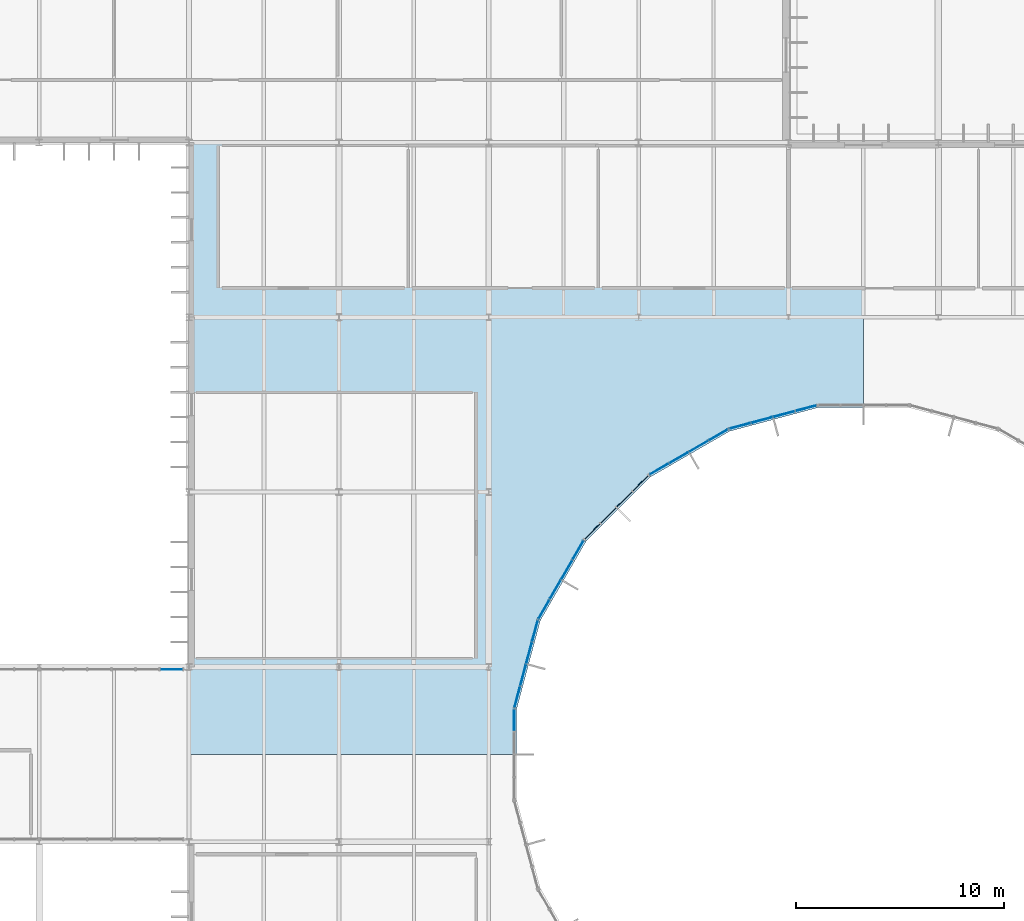
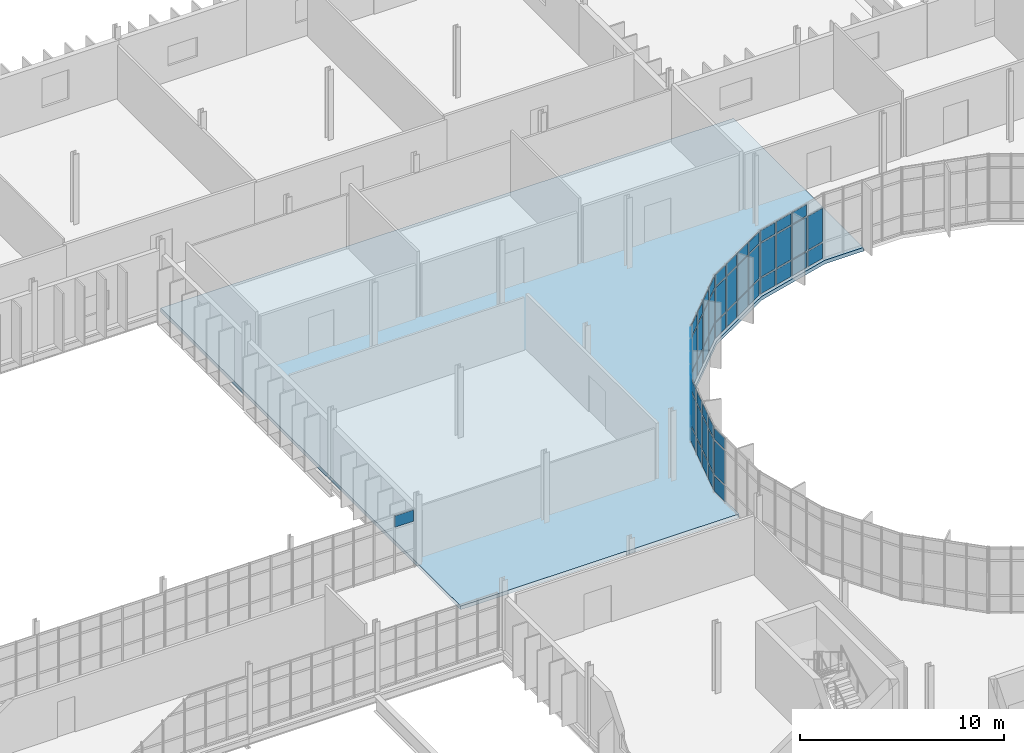
# One storey, part 64 of 99: 63 plates, 1 slab, 7 elements without a shape of their own.
"""IFC4 building model written with IfcOpenShell, lengths in metres."""

from ifc_helpers import new_model, si_unit, direction, frame, origin, origin_2d, place, context, subcontext, project, spatial, polyline, rectangle, outline, extrude, material, layer, layer_set, type_object, element, aggregate, save


model = new_model("IFC4")

# Units and contexts
model_context = context("Model", 3, precision=1e-05, world=origin(), true_north=direction((0.0, 1.0)))
body_context = subcontext(model_context, "Body", "Model", "MODEL_VIEW")
ifc_project = project(units=[si_unit("LENGTHUNIT", "METRE"), si_unit("AREAUNIT", "SQUARE_METRE"), si_unit("VOLUMEUNIT", "CUBIC_METRE"), si_unit("PLANEANGLEUNIT", "RADIAN"), si_unit("MASSUNIT", "GRAM", prefix="KILO")], contexts=[model_context])

# Site, building, storey
site_placement = place(None, origin())
site = spatial("IfcSite", under=ifc_project, at=site_placement, CompositionType="ELEMENT")
building_placement = place(site_placement, origin())
building = spatial("IfcBuilding", under=site, at=building_placement, Name="Qelthora Terrace Specialist Clinic", CompositionType="ELEMENT")
storey_placement = place(building_placement, frame((0.0, 0.0, 9.0)))
storey = spatial("IfcBuildingStorey", under=building, at=storey_placement, Name="L02", CompositionType="ELEMENT", Elevation=9.0)

# Curtain wall, plates
ifc_material_1 = material(Name="Aluminium anodized bronze", Category="aluminium")
curtain_wall_type_1 = type_object("IfcCurtainWallType", Name="CW-CRTE-UPP", PredefinedType="NOTDEFINED", material=ifc_material_1)
curtain_wall_1_placement = place(storey_placement, origin())
curtain_wall_1 = element("IfcCurtainWall", 1, at=curtain_wall_1_placement, inside=storey, type_object=curtain_wall_type_1, Name="Curtain wall CW-CE-L02-07", PredefinedType="NOTDEFINED")
ifc_material_2 = material(Name="Low-E triple-silver insulating glass", Category="glass")
ifc_layer_1 = layer(ifc_material_2, 0.035888671875)
ifc_layer_set_1 = layer_set([ifc_layer_1], Name="Low-E triple-silver insulating glass")
plate_type = type_object("IfcPlateType", Name="CWP-IGU-36", PredefinedType="CURTAIN_PANEL", material=ifc_layer_set_1)
plate_1_placement = place(storey_placement, frame((123.24658203125, 79.63037109375, 0.0849609375), z_axis=(0.0, 0.0, 1.0), x_axis=(-0.965925826289, -0.258819045103, 0.0)))
plate_1 = element("IfcPlate", 2, at=plate_1_placement, type_object=plate_type, Name="CW-CE-L02-07 glazed panel 1", PredefinedType="CURTAIN_PANEL", context=body_context, shape_type="SweptSolid", body=[
    extrude(rectangle(XDim=0.996337890625, YDim=0.035888671875, at=origin_2d()), origin(), (0.0, 0.0, 1.0), 0.919921875),
])
plate_2_placement = place(storey_placement, frame((123.24658203125, 79.63037109375, 1.094970703125), z_axis=(0.0, 0.0, 1.0), x_axis=(-0.965925826289, -0.258819045103, 0.0)))
plate_2 = element("IfcPlate", 3, at=plate_2_placement, type_object=plate_type, Name="CW-CE-L02-07 glazed panel 2", PredefinedType="CURTAIN_PANEL", context=body_context, shape_type="SweptSolid", body=[
    extrude(rectangle(XDim=0.996337890625, YDim=0.035888671875, at=origin_2d()), origin(), (0.0, 0.0, 1.0), 2.0048828125),
])
plate_3_placement = place(storey_placement, frame((122.1875, 79.346435546875, 0.0849609375), z_axis=(0.0, 0.0, 1.0), x_axis=(-0.965925826289, -0.258819045103, 0.0)))
plate_3 = element("IfcPlate", 4, at=plate_3_placement, type_object=plate_type, Name="CW-CE-L02-07 glazed panel 4", PredefinedType="CURTAIN_PANEL", context=body_context, shape_type="SweptSolid", body=[
    extrude(rectangle(XDim=0.996337890625, YDim=0.035888671875, at=origin_2d()), origin(), (0.0, 0.0, 1.0), 0.919921875),
])
plate_4_placement = place(storey_placement, frame((122.1875, 79.346435546875, 1.094970703125), z_axis=(0.0, 0.0, 1.0), x_axis=(-0.965925826289, -0.258819045103, 0.0)))
plate_4 = element("IfcPlate", 5, at=plate_4_placement, type_object=plate_type, Name="CW-CE-L02-07 glazed panel 5", PredefinedType="CURTAIN_PANEL", context=body_context, shape_type="SweptSolid", body=[
    extrude(rectangle(XDim=0.996337890625, YDim=0.035888671875, at=origin_2d()), origin(), (0.0, 0.0, 1.0), 2.0048828125),
])
plate_5_placement = place(storey_placement, frame((122.1875, 79.346435546875, 3.18994140625), z_axis=(0.0, 0.0, 1.0), x_axis=(-0.965925826289, -0.258819045103, 0.0)))
plate_5 = element("IfcPlate", 6, at=plate_5_placement, type_object=plate_type, Name="CW-CE-L02-07 glazed panel 6", PredefinedType="CURTAIN_PANEL", context=body_context, shape_type="SweptSolid", body=[
    extrude(rectangle(XDim=0.996337890625, YDim=0.035888671875, at=origin_2d()), origin(), (0.0, 0.0, 1.0), 0.669921875),
])
plate_6_placement = place(storey_placement, frame((121.12841796875, 79.062744140625, 0.0849609375), z_axis=(0.0, 0.0, 1.0), x_axis=(-0.965925826289, -0.258819045103, 0.0)))
plate_6 = element("IfcPlate", 7, at=plate_6_placement, type_object=plate_type, Name="CW-CE-L02-07 glazed panel 7", PredefinedType="CURTAIN_PANEL", context=body_context, shape_type="SweptSolid", body=[
    extrude(rectangle(XDim=0.996337890625, YDim=0.035888671875, at=origin_2d()), origin(), (0.0, 0.0, 1.0), 0.919921875),
])
plate_7_placement = place(storey_placement, frame((121.12841796875, 79.062744140625, 1.094970703125), z_axis=(0.0, 0.0, 1.0), x_axis=(-0.965925826289, -0.258819045103, 0.0)))
plate_7 = element("IfcPlate", 8, at=plate_7_placement, type_object=plate_type, Name="CW-CE-L02-07 glazed panel 8", PredefinedType="CURTAIN_PANEL", context=body_context, shape_type="SweptSolid", body=[
    extrude(rectangle(XDim=0.996337890625, YDim=0.035888671875, at=origin_2d()), origin(), (0.0, 0.0, 1.0), 2.0048828125),
])
plate_8_placement = place(storey_placement, frame((121.12841796875, 79.062744140625, 3.18994140625), z_axis=(0.0, 0.0, 1.0), x_axis=(-0.965925826289, -0.258819045103, 0.0)))
plate_8 = element("IfcPlate", 9, at=plate_8_placement, type_object=plate_type, Name="CW-CE-L02-07 glazed panel 9", PredefinedType="CURTAIN_PANEL", context=body_context, shape_type="SweptSolid", body=[
    extrude(rectangle(XDim=0.996337890625, YDim=0.035888671875, at=origin_2d()), origin(), (0.0, 0.0, 1.0), 0.669921875),
])
plate_9_placement = place(storey_placement, frame((120.0693359375, 78.779052734375, 0.0849609375), z_axis=(0.0, 0.0, 1.0), x_axis=(-0.965925826289, -0.258819045103, 0.0)))
plate_9 = element("IfcPlate", 10, at=plate_9_placement, type_object=plate_type, Name="CW-CE-L02-07 glazed panel 10", PredefinedType="CURTAIN_PANEL", context=body_context, shape_type="SweptSolid", body=[
    extrude(rectangle(XDim=0.996337890625, YDim=0.035888671875, at=origin_2d()), origin(), (0.0, 0.0, 1.0), 0.919921875),
])
plate_10_placement = place(storey_placement, frame((120.0693359375, 78.779052734375, 1.094970703125), z_axis=(0.0, 0.0, 1.0), x_axis=(-0.965925826289, -0.258819045103, 0.0)))
plate_10 = element("IfcPlate", 11, at=plate_10_placement, type_object=plate_type, Name="CW-CE-L02-07 glazed panel 11", PredefinedType="CURTAIN_PANEL", context=body_context, shape_type="SweptSolid", body=[
    extrude(rectangle(XDim=0.996337890625, YDim=0.035888671875, at=origin_2d()), origin(), (0.0, 0.0, 1.0), 2.0048828125),
])
plate_11_placement = place(storey_placement, frame((120.0693359375, 78.779052734375, 3.18994140625), z_axis=(0.0, 0.0, 1.0), x_axis=(-0.965925826289, -0.258819045103, 0.0)))
plate_11 = element("IfcPlate", 12, at=plate_11_placement, type_object=plate_type, Name="CW-CE-L02-07 glazed panel 12", PredefinedType="CURTAIN_PANEL", context=body_context, shape_type="SweptSolid", body=[
    extrude(rectangle(XDim=0.996337890625, YDim=0.035888671875, at=origin_2d()), origin(), (0.0, 0.0, 1.0), 0.669921875),
])
aggregate(curtain_wall_1, [plate_1, plate_2, plate_3, plate_4, plate_5, plate_6, plate_7, plate_8, plate_9, plate_10, plate_11])

curtain_wall_2_placement = place(storey_placement, origin())
curtain_wall_2 = element("IfcCurtainWall", 13, at=curtain_wall_2_placement, inside=storey, type_object=curtain_wall_type_1, Name="Curtain wall CW-CE-L02-08", PredefinedType="NOTDEFINED")
plate_12_placement = place(storey_placement, frame((119.0361328125, 78.35107421875, 0.0849609375), z_axis=(0.0, 0.0, 1.0), x_axis=(-0.866025403784, -0.5, 0.0)))
plate_12 = element("IfcPlate", 14, at=plate_12_placement, type_object=plate_type, Name="CW-CE-L02-08 glazed panel 1", PredefinedType="CURTAIN_PANEL", context=body_context, shape_type="SweptSolid", body=[
    extrude(rectangle(XDim=0.996337890625, YDim=0.035888671875, at=origin_2d()), origin(), (0.0, 0.0, 1.0), 0.919921875),
])
plate_13_placement = place(storey_placement, frame((119.0361328125, 78.35107421875, 1.094970703125), z_axis=(0.0, 0.0, 1.0), x_axis=(-0.866025403784, -0.5, 0.0)))
plate_13 = element("IfcPlate", 15, at=plate_13_placement, type_object=plate_type, Name="CW-CE-L02-08 glazed panel 2", PredefinedType="CURTAIN_PANEL", context=body_context, shape_type="SweptSolid", body=[
    extrude(rectangle(XDim=0.996337890625, YDim=0.035888671875, at=origin_2d()), origin(), (0.0, 0.0, 1.0), 2.0048828125),
])
plate_14_placement = place(storey_placement, frame((119.0361328125, 78.35107421875, 3.18994140625), z_axis=(0.0, 0.0, 1.0), x_axis=(-0.866025403784, -0.5, 0.0)))
plate_14 = element("IfcPlate", 16, at=plate_14_placement, type_object=plate_type, Name="CW-CE-L02-08 glazed panel 3", PredefinedType="CURTAIN_PANEL", context=body_context, shape_type="SweptSolid", body=[
    extrude(rectangle(XDim=0.996337890625, YDim=0.035888671875, at=origin_2d()), origin(), (0.0, 0.0, 1.0), 0.669921875),
])
plate_15_placement = place(storey_placement, frame((118.086669921875, 77.802734375, 0.0849609375), z_axis=(0.0, 0.0, 1.0), x_axis=(-0.866025403784, -0.5, 0.0)))
plate_15 = element("IfcPlate", 17, at=plate_15_placement, type_object=plate_type, Name="CW-CE-L02-08 glazed panel 4", PredefinedType="CURTAIN_PANEL", context=body_context, shape_type="SweptSolid", body=[
    extrude(rectangle(XDim=0.996337890625, YDim=0.035888671875, at=origin_2d()), origin(), (0.0, 0.0, 1.0), 0.919921875),
])
plate_16_placement = place(storey_placement, frame((118.086669921875, 77.802734375, 1.094970703125), z_axis=(0.0, 0.0, 1.0), x_axis=(-0.866025403784, -0.5, 0.0)))
plate_16 = element("IfcPlate", 18, at=plate_16_placement, type_object=plate_type, Name="CW-CE-L02-08 glazed panel 5", PredefinedType="CURTAIN_PANEL", context=body_context, shape_type="SweptSolid", body=[
    extrude(rectangle(XDim=0.996337890625, YDim=0.035888671875, at=origin_2d()), origin(), (0.0, 0.0, 1.0), 2.0048828125),
])
plate_17_placement = place(storey_placement, frame((118.086669921875, 77.802734375, 3.18994140625), z_axis=(0.0, 0.0, 1.0), x_axis=(-0.866025403784, -0.5, 0.0)))
plate_17 = element("IfcPlate", 19, at=plate_17_placement, type_object=plate_type, Name="CW-CE-L02-08 glazed panel 6", PredefinedType="CURTAIN_PANEL", context=body_context, shape_type="SweptSolid", body=[
    extrude(rectangle(XDim=0.996337890625, YDim=0.035888671875, at=origin_2d()), origin(), (0.0, 0.0, 1.0), 0.669921875),
])
plate_18_placement = place(storey_placement, frame((117.13720703125, 77.254638671875, 0.0849609375), z_axis=(0.0, 0.0, 1.0), x_axis=(-0.866025403784, -0.5, 0.0)))
plate_18 = element("IfcPlate", 20, at=plate_18_placement, type_object=plate_type, Name="CW-CE-L02-08 glazed panel 7", PredefinedType="CURTAIN_PANEL", context=body_context, shape_type="SweptSolid", body=[
    extrude(rectangle(XDim=0.996337890625, YDim=0.035888671875, at=origin_2d()), origin(), (0.0, 0.0, 1.0), 0.919921875),
])
plate_19_placement = place(storey_placement, frame((117.13720703125, 77.254638671875, 1.094970703125), z_axis=(0.0, 0.0, 1.0), x_axis=(-0.866025403784, -0.5, 0.0)))
plate_19 = element("IfcPlate", 21, at=plate_19_placement, type_object=plate_type, Name="CW-CE-L02-08 glazed panel 8", PredefinedType="CURTAIN_PANEL", context=body_context, shape_type="SweptSolid", body=[
    extrude(rectangle(XDim=0.996337890625, YDim=0.035888671875, at=origin_2d()), origin(), (0.0, 0.0, 1.0), 2.0048828125),
])
plate_20_placement = place(storey_placement, frame((117.13720703125, 77.254638671875, 3.18994140625), z_axis=(0.0, 0.0, 1.0), x_axis=(-0.866025403784, -0.5, 0.0)))
plate_20 = element("IfcPlate", 22, at=plate_20_placement, type_object=plate_type, Name="CW-CE-L02-08 glazed panel 9", PredefinedType="CURTAIN_PANEL", context=body_context, shape_type="SweptSolid", body=[
    extrude(rectangle(XDim=0.996337890625, YDim=0.035888671875, at=origin_2d()), origin(), (0.0, 0.0, 1.0), 0.669921875),
])
plate_21_placement = place(storey_placement, frame((116.1875, 76.706298828125, 0.0849609375), z_axis=(0.0, 0.0, 1.0), x_axis=(-0.866025403784, -0.5, 0.0)))
plate_21 = element("IfcPlate", 23, at=plate_21_placement, type_object=plate_type, Name="CW-CE-L02-08 glazed panel 10", PredefinedType="CURTAIN_PANEL", context=body_context, shape_type="SweptSolid", body=[
    extrude(rectangle(XDim=0.996337890625, YDim=0.035888671875, at=origin_2d()), origin(), (0.0, 0.0, 1.0), 0.919921875),
])
plate_22_placement = place(storey_placement, frame((116.1875, 76.706298828125, 1.094970703125), z_axis=(0.0, 0.0, 1.0), x_axis=(-0.866025403784, -0.5, 0.0)))
plate_22 = element("IfcPlate", 24, at=plate_22_placement, type_object=plate_type, Name="CW-CE-L02-08 glazed panel 11", PredefinedType="CURTAIN_PANEL", context=body_context, shape_type="SweptSolid", body=[
    extrude(rectangle(XDim=0.996337890625, YDim=0.035888671875, at=origin_2d()), origin(), (0.0, 0.0, 1.0), 2.0048828125),
])
plate_23_placement = place(storey_placement, frame((116.1875, 76.706298828125, 3.18994140625), z_axis=(0.0, 0.0, 1.0), x_axis=(-0.866025403784, -0.5, 0.0)))
plate_23 = element("IfcPlate", 25, at=plate_23_placement, type_object=plate_type, Name="CW-CE-L02-08 glazed panel 12", PredefinedType="CURTAIN_PANEL", context=body_context, shape_type="SweptSolid", body=[
    extrude(rectangle(XDim=0.996337890625, YDim=0.035888671875, at=origin_2d()), origin(), (0.0, 0.0, 1.0), 0.669921875),
])
aggregate(curtain_wall_2, [plate_12, plate_13, plate_14, plate_15, plate_16, plate_17, plate_18, plate_19, plate_20, plate_21, plate_22, plate_23])

curtain_wall_3_placement = place(storey_placement, origin())
curtain_wall_3 = element("IfcCurtainWall", 26, at=curtain_wall_3_placement, inside=storey, type_object=curtain_wall_type_1, Name="Curtain wall CW-CE-L02-09", PredefinedType="NOTDEFINED")
plate_24_placement = place(storey_placement, frame((115.30029296875, 76.025634765625, 0.0849609375), z_axis=(0.0, 0.0, 1.0), x_axis=(-0.707106781187, -0.707106781187, 0.0)))
plate_24 = element("IfcPlate", 27, at=plate_24_placement, type_object=plate_type, Name="CW-CE-L02-09 glazed panel 1", PredefinedType="CURTAIN_PANEL", context=body_context, shape_type="SweptSolid", body=[
    extrude(rectangle(XDim=0.996337890625, YDim=0.035888671875, at=origin_2d()), origin(), (0.0, 0.0, 1.0), 0.919921875),
])
plate_25_placement = place(storey_placement, frame((115.30029296875, 76.025634765625, 1.094970703125), z_axis=(0.0, 0.0, 1.0), x_axis=(-0.707106781187, -0.707106781187, 0.0)))
plate_25 = element("IfcPlate", 28, at=plate_25_placement, type_object=plate_type, Name="CW-CE-L02-09 glazed panel 2", PredefinedType="CURTAIN_PANEL", context=body_context, shape_type="SweptSolid", body=[
    extrude(rectangle(XDim=0.996337890625, YDim=0.035888671875, at=origin_2d()), origin(), (0.0, 0.0, 1.0), 2.0048828125),
])
plate_26_placement = place(storey_placement, frame((115.30029296875, 76.025634765625, 3.18994140625), z_axis=(0.0, 0.0, 1.0), x_axis=(-0.707106781187, -0.707106781187, 0.0)))
plate_26 = element("IfcPlate", 29, at=plate_26_placement, type_object=plate_type, Name="CW-CE-L02-09 glazed panel 3", PredefinedType="CURTAIN_PANEL", context=body_context, shape_type="SweptSolid", body=[
    extrude(rectangle(XDim=0.996337890625, YDim=0.035888671875, at=origin_2d()), origin(), (0.0, 0.0, 1.0), 0.669921875),
])
plate_27_placement = place(storey_placement, frame((114.525146484375, 75.250244140625, 0.0849609375), z_axis=(0.0, 0.0, 1.0), x_axis=(-0.707106781187, -0.707106781187, 0.0)))
plate_27 = element("IfcPlate", 30, at=plate_27_placement, type_object=plate_type, Name="CW-CE-L02-09 glazed panel 4", PredefinedType="CURTAIN_PANEL", context=body_context, shape_type="SweptSolid", body=[
    extrude(rectangle(XDim=0.996337890625, YDim=0.035888671875, at=origin_2d()), origin(), (0.0, 0.0, 1.0), 0.919921875),
])
plate_28_placement = place(storey_placement, frame((114.525146484375, 75.250244140625, 1.094970703125), z_axis=(0.0, 0.0, 1.0), x_axis=(-0.707106781187, -0.707106781187, 0.0)))
plate_28 = element("IfcPlate", 31, at=plate_28_placement, type_object=plate_type, Name="CW-CE-L02-09 glazed panel 5", PredefinedType="CURTAIN_PANEL", context=body_context, shape_type="SweptSolid", body=[
    extrude(rectangle(XDim=0.996337890625, YDim=0.035888671875, at=origin_2d()), origin(), (0.0, 0.0, 1.0), 2.0048828125),
])
plate_29_placement = place(storey_placement, frame((114.525146484375, 75.250244140625, 3.18994140625), z_axis=(0.0, 0.0, 1.0), x_axis=(-0.707106781187, -0.707106781187, 0.0)))
plate_29 = element("IfcPlate", 32, at=plate_29_placement, type_object=plate_type, Name="CW-CE-L02-09 glazed panel 6", PredefinedType="CURTAIN_PANEL", context=body_context, shape_type="SweptSolid", body=[
    extrude(rectangle(XDim=0.996337890625, YDim=0.035888671875, at=origin_2d()), origin(), (0.0, 0.0, 1.0), 0.669921875),
])
plate_30_placement = place(storey_placement, frame((113.749755859375, 74.474853515625, 0.0849609375), z_axis=(0.0, 0.0, 1.0), x_axis=(-0.707106781187, -0.707106781187, 0.0)))
plate_30 = element("IfcPlate", 33, at=plate_30_placement, type_object=plate_type, Name="CW-CE-L02-09 glazed panel 7", PredefinedType="CURTAIN_PANEL", context=body_context, shape_type="SweptSolid", body=[
    extrude(rectangle(XDim=0.996337890625, YDim=0.035888671875, at=origin_2d()), origin(), (0.0, 0.0, 1.0), 0.919921875),
])
plate_31_placement = place(storey_placement, frame((113.749755859375, 74.474853515625, 1.094970703125), z_axis=(0.0, 0.0, 1.0), x_axis=(-0.707106781187, -0.707106781187, 0.0)))
plate_31 = element("IfcPlate", 34, at=plate_31_placement, type_object=plate_type, Name="CW-CE-L02-09 glazed panel 8", PredefinedType="CURTAIN_PANEL", context=body_context, shape_type="SweptSolid", body=[
    extrude(rectangle(XDim=0.996337890625, YDim=0.035888671875, at=origin_2d()), origin(), (0.0, 0.0, 1.0), 2.0048828125),
])
plate_32_placement = place(storey_placement, frame((113.749755859375, 74.474853515625, 3.18994140625), z_axis=(0.0, 0.0, 1.0), x_axis=(-0.707106781187, -0.707106781187, 0.0)))
plate_32 = element("IfcPlate", 35, at=plate_32_placement, type_object=plate_type, Name="CW-CE-L02-09 glazed panel 9", PredefinedType="CURTAIN_PANEL", context=body_context, shape_type="SweptSolid", body=[
    extrude(rectangle(XDim=0.996337890625, YDim=0.035888671875, at=origin_2d()), origin(), (0.0, 0.0, 1.0), 0.669921875),
])
plate_33_placement = place(storey_placement, frame((112.974365234375, 73.69970703125, 0.0849609375), z_axis=(0.0, 0.0, 1.0), x_axis=(-0.707106781187, -0.707106781187, 0.0)))
plate_33 = element("IfcPlate", 36, at=plate_33_placement, type_object=plate_type, Name="CW-CE-L02-09 glazed panel 10", PredefinedType="CURTAIN_PANEL", context=body_context, shape_type="SweptSolid", body=[
    extrude(rectangle(XDim=0.996337890625, YDim=0.035888671875, at=origin_2d()), origin(), (0.0, 0.0, 1.0), 0.919921875),
])
plate_34_placement = place(storey_placement, frame((112.974365234375, 73.69970703125, 1.094970703125), z_axis=(0.0, 0.0, 1.0), x_axis=(-0.707106781187, -0.707106781187, 0.0)))
plate_34 = element("IfcPlate", 37, at=plate_34_placement, type_object=plate_type, Name="CW-CE-L02-09 glazed panel 11", PredefinedType="CURTAIN_PANEL", context=body_context, shape_type="SweptSolid", body=[
    extrude(rectangle(XDim=0.996337890625, YDim=0.035888671875, at=origin_2d()), origin(), (0.0, 0.0, 1.0), 2.0048828125),
])
plate_35_placement = place(storey_placement, frame((112.974365234375, 73.69970703125, 3.18994140625), z_axis=(0.0, 0.0, 1.0), x_axis=(-0.707106781187, -0.707106781187, 0.0)))
plate_35 = element("IfcPlate", 38, at=plate_35_placement, type_object=plate_type, Name="CW-CE-L02-09 glazed panel 12", PredefinedType="CURTAIN_PANEL", context=body_context, shape_type="SweptSolid", body=[
    extrude(rectangle(XDim=0.996337890625, YDim=0.035888671875, at=origin_2d()), origin(), (0.0, 0.0, 1.0), 0.669921875),
])
aggregate(curtain_wall_3, [plate_24, plate_25, plate_26, plate_27, plate_28, plate_29, plate_30, plate_31, plate_32, plate_33, plate_34, plate_35])

curtain_wall_4_placement = place(storey_placement, origin())
curtain_wall_4 = element("IfcCurtainWall", 39, at=curtain_wall_4_placement, inside=storey, type_object=curtain_wall_type_1, Name="Curtain wall CW-CE-L02-10", PredefinedType="NOTDEFINED")
plate_36_placement = place(storey_placement, frame((112.293701171875, 72.8125, 0.0849609375), z_axis=(0.0, 0.0, 1.0), x_axis=(-0.5, -0.866025403784, 0.0)))
plate_36 = element("IfcPlate", 40, at=plate_36_placement, type_object=plate_type, Name="CW-CE-L02-10 glazed panel 1", PredefinedType="CURTAIN_PANEL", context=body_context, shape_type="SweptSolid", body=[
    extrude(rectangle(XDim=0.996337890625, YDim=0.035888671875, at=origin_2d()), origin(), (0.0, 0.0, 1.0), 0.919921875),
])
plate_37_placement = place(storey_placement, frame((112.293701171875, 72.8125, 1.094970703125), z_axis=(0.0, 0.0, 1.0), x_axis=(-0.5, -0.866025403784, 0.0)))
plate_37 = element("IfcPlate", 41, at=plate_37_placement, type_object=plate_type, Name="CW-CE-L02-10 glazed panel 2", PredefinedType="CURTAIN_PANEL", context=body_context, shape_type="SweptSolid", body=[
    extrude(rectangle(XDim=0.996337890625, YDim=0.035888671875, at=origin_2d()), origin(), (0.0, 0.0, 1.0), 2.0048828125),
])
plate_38_placement = place(storey_placement, frame((112.293701171875, 72.8125, 3.18994140625), z_axis=(0.0, 0.0, 1.0), x_axis=(-0.5, -0.866025403784, 0.0)))
plate_38 = element("IfcPlate", 42, at=plate_38_placement, type_object=plate_type, Name="CW-CE-L02-10 glazed panel 3", PredefinedType="CURTAIN_PANEL", context=body_context, shape_type="SweptSolid", body=[
    extrude(rectangle(XDim=0.996337890625, YDim=0.035888671875, at=origin_2d()), origin(), (0.0, 0.0, 1.0), 0.669921875),
])
plate_39_placement = place(storey_placement, frame((111.745361328125, 71.86279296875, 0.0849609375), z_axis=(0.0, 0.0, 1.0), x_axis=(-0.5, -0.866025403784, 0.0)))
plate_39 = element("IfcPlate", 43, at=plate_39_placement, type_object=plate_type, Name="CW-CE-L02-10 glazed panel 4", PredefinedType="CURTAIN_PANEL", context=body_context, shape_type="SweptSolid", body=[
    extrude(rectangle(XDim=0.996337890625, YDim=0.035888671875, at=origin_2d()), origin(), (0.0, 0.0, 1.0), 0.919921875),
])
plate_40_placement = place(storey_placement, frame((111.745361328125, 71.86279296875, 1.094970703125), z_axis=(0.0, 0.0, 1.0), x_axis=(-0.5, -0.866025403784, 0.0)))
plate_40 = element("IfcPlate", 44, at=plate_40_placement, type_object=plate_type, Name="CW-CE-L02-10 glazed panel 5", PredefinedType="CURTAIN_PANEL", context=body_context, shape_type="SweptSolid", body=[
    extrude(rectangle(XDim=0.996337890625, YDim=0.035888671875, at=origin_2d()), origin(), (0.0, 0.0, 1.0), 2.0048828125),
])
plate_41_placement = place(storey_placement, frame((111.745361328125, 71.86279296875, 3.18994140625), z_axis=(0.0, 0.0, 1.0), x_axis=(-0.5, -0.866025403784, 0.0)))
plate_41 = element("IfcPlate", 45, at=plate_41_placement, type_object=plate_type, Name="CW-CE-L02-10 glazed panel 6", PredefinedType="CURTAIN_PANEL", context=body_context, shape_type="SweptSolid", body=[
    extrude(rectangle(XDim=0.996337890625, YDim=0.035888671875, at=origin_2d()), origin(), (0.0, 0.0, 1.0), 0.669921875),
])
plate_42_placement = place(storey_placement, frame((111.197265625, 70.913330078125, 0.0849609375), z_axis=(0.0, 0.0, 1.0), x_axis=(-0.5, -0.866025403784, 0.0)))
plate_42 = element("IfcPlate", 46, at=plate_42_placement, type_object=plate_type, Name="CW-CE-L02-10 glazed panel 7", PredefinedType="CURTAIN_PANEL", context=body_context, shape_type="SweptSolid", body=[
    extrude(rectangle(XDim=0.996337890625, YDim=0.035888671875, at=origin_2d()), origin(), (0.0, 0.0, 1.0), 0.919921875),
])
plate_43_placement = place(storey_placement, frame((111.197265625, 70.913330078125, 1.094970703125), z_axis=(0.0, 0.0, 1.0), x_axis=(-0.5, -0.866025403784, 0.0)))
plate_43 = element("IfcPlate", 47, at=plate_43_placement, type_object=plate_type, Name="CW-CE-L02-10 glazed panel 8", PredefinedType="CURTAIN_PANEL", context=body_context, shape_type="SweptSolid", body=[
    extrude(rectangle(XDim=0.996337890625, YDim=0.035888671875, at=origin_2d()), origin(), (0.0, 0.0, 1.0), 2.0048828125),
])
plate_44_placement = place(storey_placement, frame((111.197265625, 70.913330078125, 3.18994140625), z_axis=(0.0, 0.0, 1.0), x_axis=(-0.5, -0.866025403784, 0.0)))
plate_44 = element("IfcPlate", 48, at=plate_44_placement, type_object=plate_type, Name="CW-CE-L02-10 glazed panel 9", PredefinedType="CURTAIN_PANEL", context=body_context, shape_type="SweptSolid", body=[
    extrude(rectangle(XDim=0.996337890625, YDim=0.035888671875, at=origin_2d()), origin(), (0.0, 0.0, 1.0), 0.669921875),
])
plate_45_placement = place(storey_placement, frame((110.64892578125, 69.9638671875, 0.0849609375), z_axis=(0.0, 0.0, 1.0), x_axis=(-0.5, -0.866025403784, 0.0)))
plate_45 = element("IfcPlate", 49, at=plate_45_placement, type_object=plate_type, Name="CW-CE-L02-10 glazed panel 10", PredefinedType="CURTAIN_PANEL", context=body_context, shape_type="SweptSolid", body=[
    extrude(rectangle(XDim=0.996337890625, YDim=0.035888671875, at=origin_2d()), origin(), (0.0, 0.0, 1.0), 0.919921875),
])
plate_46_placement = place(storey_placement, frame((110.64892578125, 69.9638671875, 1.094970703125), z_axis=(0.0, 0.0, 1.0), x_axis=(-0.5, -0.866025403784, 0.0)))
plate_46 = element("IfcPlate", 50, at=plate_46_placement, type_object=plate_type, Name="CW-CE-L02-10 glazed panel 11", PredefinedType="CURTAIN_PANEL", context=body_context, shape_type="SweptSolid", body=[
    extrude(rectangle(XDim=0.996337890625, YDim=0.035888671875, at=origin_2d()), origin(), (0.0, 0.0, 1.0), 2.0048828125),
])
plate_47_placement = place(storey_placement, frame((110.64892578125, 69.9638671875, 3.18994140625), z_axis=(0.0, 0.0, 1.0), x_axis=(-0.5, -0.866025403784, 0.0)))
plate_47 = element("IfcPlate", 51, at=plate_47_placement, type_object=plate_type, Name="CW-CE-L02-10 glazed panel 12", PredefinedType="CURTAIN_PANEL", context=body_context, shape_type="SweptSolid", body=[
    extrude(rectangle(XDim=0.996337890625, YDim=0.035888671875, at=origin_2d()), origin(), (0.0, 0.0, 1.0), 0.669921875),
])
aggregate(curtain_wall_4, [plate_36, plate_37, plate_38, plate_39, plate_40, plate_41, plate_42, plate_43, plate_44, plate_45, plate_46, plate_47])

curtain_wall_5_placement = place(storey_placement, origin())
curtain_wall_5 = element("IfcCurtainWall", 52, at=curtain_wall_5_placement, inside=storey, type_object=curtain_wall_type_1, Name="Curtain wall CW-CE-L02-11", PredefinedType="NOTDEFINED")
plate_48_placement = place(storey_placement, frame((110.220947265625, 68.9306640625, 0.0849609375), z_axis=(0.0, 0.0, 1.0), x_axis=(-0.258819045103, -0.965925826289, 0.0)))
plate_48 = element("IfcPlate", 53, at=plate_48_placement, type_object=plate_type, Name="CW-CE-L02-11 glazed panel 1", PredefinedType="CURTAIN_PANEL", context=body_context, shape_type="SweptSolid", body=[
    extrude(rectangle(XDim=0.996337890625, YDim=0.035888671875, at=origin_2d()), origin(), (0.0, 0.0, 1.0), 0.919921875),
])
plate_49_placement = place(storey_placement, frame((110.220947265625, 68.9306640625, 1.094970703125), z_axis=(0.0, 0.0, 1.0), x_axis=(-0.258819045103, -0.965925826289, 0.0)))
plate_49 = element("IfcPlate", 54, at=plate_49_placement, type_object=plate_type, Name="CW-CE-L02-11 glazed panel 2", PredefinedType="CURTAIN_PANEL", context=body_context, shape_type="SweptSolid", body=[
    extrude(rectangle(XDim=0.996337890625, YDim=0.035888671875, at=origin_2d()), origin(), (0.0, 0.0, 1.0), 2.0048828125),
])
plate_50_placement = place(storey_placement, frame((110.220947265625, 68.9306640625, 3.18994140625), z_axis=(0.0, 0.0, 1.0), x_axis=(-0.258819045103, -0.965925826289, 0.0)))
plate_50 = element("IfcPlate", 55, at=plate_50_placement, type_object=plate_type, Name="CW-CE-L02-11 glazed panel 3", PredefinedType="CURTAIN_PANEL", context=body_context, shape_type="SweptSolid", body=[
    extrude(rectangle(XDim=0.996337890625, YDim=0.035888671875, at=origin_2d()), origin(), (0.0, 0.0, 1.0), 0.669921875),
])
plate_51_placement = place(storey_placement, frame((109.937255859375, 67.87158203125, 0.0849609375), z_axis=(0.0, 0.0, 1.0), x_axis=(-0.258819045103, -0.965925826289, 0.0)))
plate_51 = element("IfcPlate", 56, at=plate_51_placement, type_object=plate_type, Name="CW-CE-L02-11 glazed panel 4", PredefinedType="CURTAIN_PANEL", context=body_context, shape_type="SweptSolid", body=[
    extrude(rectangle(XDim=0.996337890625, YDim=0.035888671875, at=origin_2d()), origin(), (0.0, 0.0, 1.0), 0.919921875),
])
plate_52_placement = place(storey_placement, frame((109.937255859375, 67.87158203125, 1.094970703125), z_axis=(0.0, 0.0, 1.0), x_axis=(-0.258819045103, -0.965925826289, 0.0)))
plate_52 = element("IfcPlate", 57, at=plate_52_placement, type_object=plate_type, Name="CW-CE-L02-11 glazed panel 5", PredefinedType="CURTAIN_PANEL", context=body_context, shape_type="SweptSolid", body=[
    extrude(rectangle(XDim=0.996337890625, YDim=0.035888671875, at=origin_2d()), origin(), (0.0, 0.0, 1.0), 2.0048828125),
])
plate_53_placement = place(storey_placement, frame((109.937255859375, 67.87158203125, 3.18994140625), z_axis=(0.0, 0.0, 1.0), x_axis=(-0.258819045103, -0.965925826289, 0.0)))
plate_53 = element("IfcPlate", 58, at=plate_53_placement, type_object=plate_type, Name="CW-CE-L02-11 glazed panel 6", PredefinedType="CURTAIN_PANEL", context=body_context, shape_type="SweptSolid", body=[
    extrude(rectangle(XDim=0.996337890625, YDim=0.035888671875, at=origin_2d()), origin(), (0.0, 0.0, 1.0), 0.669921875),
])
plate_54_placement = place(storey_placement, frame((109.653564453125, 66.8125, 0.0849609375), z_axis=(0.0, 0.0, 1.0), x_axis=(-0.258819045103, -0.965925826289, 0.0)))
plate_54 = element("IfcPlate", 59, at=plate_54_placement, type_object=plate_type, Name="CW-CE-L02-11 glazed panel 7", PredefinedType="CURTAIN_PANEL", context=body_context, shape_type="SweptSolid", body=[
    extrude(rectangle(XDim=0.996337890625, YDim=0.035888671875, at=origin_2d()), origin(), (0.0, 0.0, 1.0), 0.919921875),
])
plate_55_placement = place(storey_placement, frame((109.653564453125, 66.8125, 1.094970703125), z_axis=(0.0, 0.0, 1.0), x_axis=(-0.258819045103, -0.965925826289, 0.0)))
plate_55 = element("IfcPlate", 60, at=plate_55_placement, type_object=plate_type, Name="CW-CE-L02-11 glazed panel 8", PredefinedType="CURTAIN_PANEL", context=body_context, shape_type="SweptSolid", body=[
    extrude(rectangle(XDim=0.996337890625, YDim=0.035888671875, at=origin_2d()), origin(), (0.0, 0.0, 1.0), 2.0048828125),
])
plate_56_placement = place(storey_placement, frame((109.653564453125, 66.8125, 3.18994140625), z_axis=(0.0, 0.0, 1.0), x_axis=(-0.258819045103, -0.965925826289, 0.0)))
plate_56 = element("IfcPlate", 61, at=plate_56_placement, type_object=plate_type, Name="CW-CE-L02-11 glazed panel 9", PredefinedType="CURTAIN_PANEL", context=body_context, shape_type="SweptSolid", body=[
    extrude(rectangle(XDim=0.996337890625, YDim=0.035888671875, at=origin_2d()), origin(), (0.0, 0.0, 1.0), 0.669921875),
])
plate_57_placement = place(storey_placement, frame((109.36962890625, 65.75341796875, 0.0849609375), z_axis=(0.0, 0.0, 1.0), x_axis=(-0.258819045103, -0.965925826289, 0.0)))
plate_57 = element("IfcPlate", 62, at=plate_57_placement, type_object=plate_type, Name="CW-CE-L02-11 glazed panel 10", PredefinedType="CURTAIN_PANEL", context=body_context, shape_type="SweptSolid", body=[
    extrude(rectangle(XDim=0.996337890625, YDim=0.035888671875, at=origin_2d()), origin(), (0.0, 0.0, 1.0), 0.919921875),
])
plate_58_placement = place(storey_placement, frame((109.36962890625, 65.75341796875, 1.094970703125), z_axis=(0.0, 0.0, 1.0), x_axis=(-0.258819045103, -0.965925826289, 0.0)))
plate_58 = element("IfcPlate", 63, at=plate_58_placement, type_object=plate_type, Name="CW-CE-L02-11 glazed panel 11", PredefinedType="CURTAIN_PANEL", context=body_context, shape_type="SweptSolid", body=[
    extrude(rectangle(XDim=0.996337890625, YDim=0.035888671875, at=origin_2d()), origin(), (0.0, 0.0, 1.0), 2.0048828125),
])
plate_59_placement = place(storey_placement, frame((109.36962890625, 65.75341796875, 3.18994140625), z_axis=(0.0, 0.0, 1.0), x_axis=(-0.258819045103, -0.965925826289, 0.0)))
plate_59 = element("IfcPlate", 64, at=plate_59_placement, type_object=plate_type, Name="CW-CE-L02-11 glazed panel 12", PredefinedType="CURTAIN_PANEL", context=body_context, shape_type="SweptSolid", body=[
    extrude(rectangle(XDim=0.996337890625, YDim=0.035888671875, at=origin_2d()), origin(), (0.0, 0.0, 1.0), 0.669921875),
])
aggregate(curtain_wall_5, [plate_48, plate_49, plate_50, plate_51, plate_52, plate_53, plate_54, plate_55, plate_56, plate_57, plate_58, plate_59])

curtain_wall_6_placement = place(storey_placement, origin())
curtain_wall_6 = element("IfcCurtainWall", 65, at=curtain_wall_6_placement, inside=storey, type_object=curtain_wall_type_1, Name="Curtain wall CW-CE-L02-12", PredefinedType="NOTDEFINED")
plate_60_placement = place(storey_placement, frame((109.2236328125, 64.64453125, 0.0849609375), z_axis=(0.0, 0.0, 1.0), x_axis=(0.0, -1.0, 0.0)))
plate_60 = element("IfcPlate", 66, at=plate_60_placement, type_object=plate_type, Name="CW-CE-L02-12 glazed panel 1", PredefinedType="CURTAIN_PANEL", context=body_context, shape_type="SweptSolid", body=[
    extrude(rectangle(XDim=0.996337890625, YDim=0.035888671875, at=origin_2d()), origin(), (0.0, 0.0, 1.0), 0.919921875),
])
plate_61_placement = place(storey_placement, frame((109.2236328125, 64.64453125, 1.094970703125), z_axis=(0.0, 0.0, 1.0), x_axis=(0.0, -1.0, 0.0)))
plate_61 = element("IfcPlate", 67, at=plate_61_placement, type_object=plate_type, Name="CW-CE-L02-12 glazed panel 2", PredefinedType="CURTAIN_PANEL", context=body_context, shape_type="SweptSolid", body=[
    extrude(rectangle(XDim=0.996337890625, YDim=0.035888671875, at=origin_2d()), origin(), (0.0, 0.0, 1.0), 2.0048828125),
])
plate_62_placement = place(storey_placement, frame((109.2236328125, 64.64453125, 3.18994140625), z_axis=(0.0, 0.0, 1.0), x_axis=(0.0, -1.0, 0.0)))
plate_62 = element("IfcPlate", 68, at=plate_62_placement, type_object=plate_type, Name="CW-CE-L02-12 glazed panel 3", PredefinedType="CURTAIN_PANEL", context=body_context, shape_type="SweptSolid", body=[
    extrude(rectangle(XDim=0.996337890625, YDim=0.035888671875, at=origin_2d()), origin(), (0.0, 0.0, 1.0), 0.669921875),
])
aggregate(curtain_wall_6, [plate_60, plate_61, plate_62])

# Curtain wall, plate
curtain_wall_type_2 = type_object("IfcCurtainWallType", Name="CW-BRG-L02", PredefinedType="NOTDEFINED", material=ifc_material_1)
curtain_wall_7_placement = place(storey_placement, origin())
curtain_wall_7 = element("IfcCurtainWall", 69, at=curtain_wall_7_placement, inside=storey, type_object=curtain_wall_type_2, Name="Curtain wall CW-L02-261", PredefinedType="NOTDEFINED")
plate_63_placement = place(storey_placement, frame((92.76171875, 67.080078125, 2.72705078125), z_axis=(0.0, 0.0, 1.0), x_axis=(1.0, 0.0, 0.0)))
plate_63 = element("IfcPlate", 70, at=plate_63_placement, type_object=plate_type, Name="CW-L02-261 glazed panel 18", PredefinedType="CURTAIN_PANEL", context=body_context, shape_type="SweptSolid", body=[
    extrude(rectangle(XDim=1.056640625, YDim=0.035888671875, at=origin_2d()), origin(), (0.0, 0.0, 1.0), 0.669921875),
])
aggregate(curtain_wall_7, [plate_63])

# Slab
ifc_material_3 = material(Name="Concrete C30/37", Category="concrete")
ifc_layer_2 = layer(ifc_material_3, 0.219970703125)
ifc_layer_set_2 = layer_set([ifc_layer_2], Name="Concrete C30/37")
slab_type = type_object("IfcSlabType", Name="SLB-FLR-220-C30", PredefinedType="FLOOR", material=ifc_layer_set_2)
slab_placement = place(storey_placement, frame((0.0, 0.0, -0.219970703125)))
element("IfcSlab", 71, at=slab_placement, inside=storey, type_object=slab_type, Name="L02 V4 slab SLB-L02-V4-3A", PredefinedType="FLOOR", context=body_context, shape_type="SweptSolid", body=[
    extrude(outline(polyline([(93.60009765625, 92.39990234375), (126.0, 92.39990234375), (126.0, 79.65625), (123.80712890625, 79.65625), (119.57080078125, 78.521240234375), (115.772705078125, 76.328369140625), (112.671630859375, 73.227294921875), (110.478759765625, 69.42919921875), (109.34375, 65.19287109375), (109.34375, 63.0), (93.60009765625, 63.0), (93.60009765625, 92.39990234375)])), origin(), (0.0, 0.0, 1.0), 0.219970703125),
])

save(model, "model.ifc")
